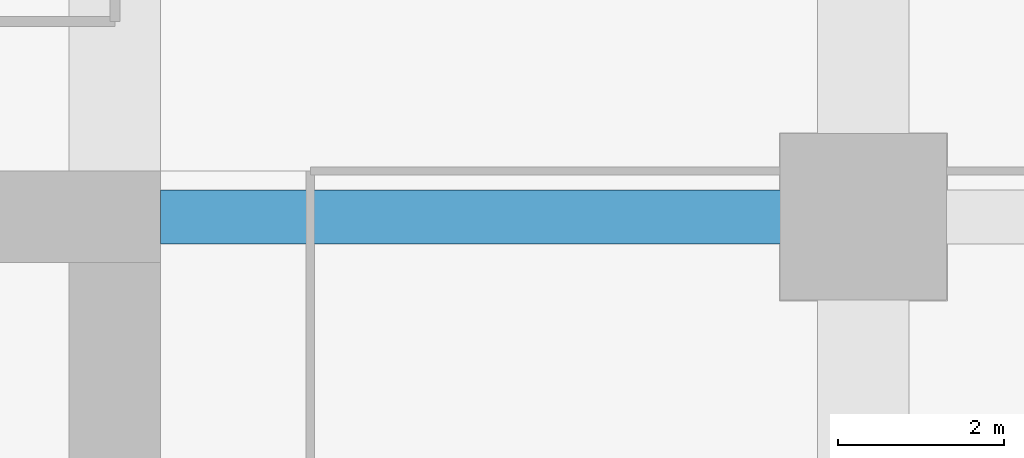
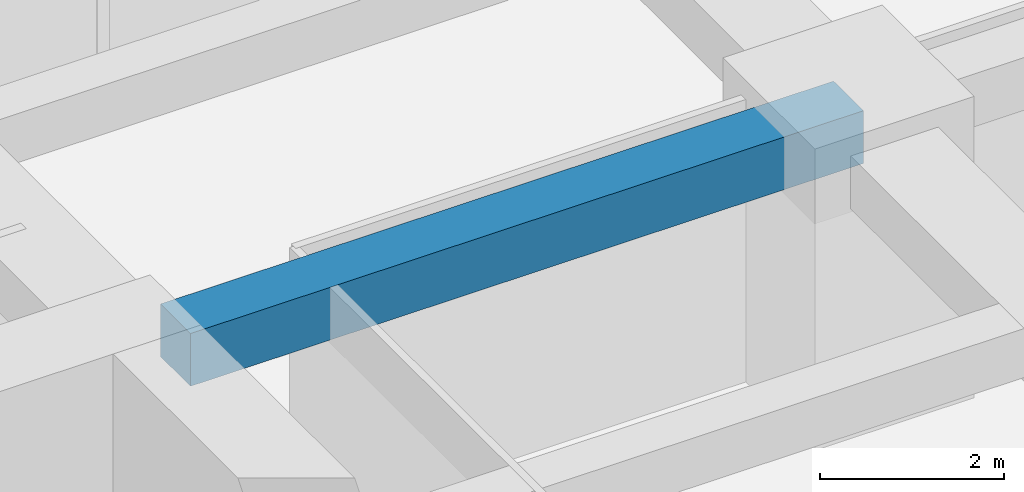
# One storey, part 31 of 39: 1 beam.
"""IFC4 building model written with IfcOpenShell, lengths in metres."""

from ifc_helpers import new_model, si_unit, direction, frame, origin, origin_2d, place, context, subcontext, project, spatial, rectangle, extrude, material, material_profile, profile_set, type_object, element, save


model = new_model("IFC4")

# Units and contexts
model_context = context("Model", 3, precision=1e-05, world=origin(), true_north=direction((0.0, 1.0)))
body_context = subcontext(model_context, "Body", "Model", "MODEL_VIEW")
ifc_project = project(units=[si_unit("LENGTHUNIT", "METRE"), si_unit("AREAUNIT", "SQUARE_METRE"), si_unit("VOLUMEUNIT", "CUBIC_METRE"), si_unit("PLANEANGLEUNIT", "RADIAN"), si_unit("MASSUNIT", "GRAM", prefix="KILO")], contexts=[model_context])

# Site, building, storey
site_placement = place(None, origin())
site = spatial("IfcSite", under=ifc_project, at=site_placement, CompositionType="ELEMENT")
building_placement = place(site_placement, origin())
building = spatial("IfcBuilding", under=site, at=building_placement, Name="Zorevar Civic Tower", CompositionType="ELEMENT")
storey_placement = place(building_placement, frame((0.0, 0.0, 117.0)))
storey = spatial("IfcBuildingStorey", under=building, at=storey_placement, Name="L28", CompositionType="ELEMENT", Elevation=117.0)

# Beam
ifc_material = material(Name="Concrete C50/60", Category="concrete")
ifc_material_profile = material_profile(ifc_material, rectangle(XDim=0.64990234375, YDim=0.699951171875, at=origin_2d()), Name="RC 650x700")
ifc_profile_set = profile_set([ifc_material_profile], Name="Concrete C50/60")
beam_type = type_object("IfcBeamType", Name="Beam RC 650x700", PredefinedType="BEAM", material=ifc_profile_set)
beam_placement = place(storey_placement, frame((45.550048828125, 36.0, 3.39990234375), z_axis=(1.0, 0.0, 0.0), x_axis=(0.0, 1.0, 0.0)))
element("IfcBeam", 1, at=beam_placement, inside=storey, type_object=beam_type, Name="Girder L29", PredefinedType="BEAM", context=body_context, shape_type="SweptSolid", body=[
    extrude(rectangle(XDim=0.64990234375, YDim=0.699951171875, at=origin_2d()), origin(), (0.0, 0.0, 1.0), 8.449951171875),
])

save(model, "model.ifc")
